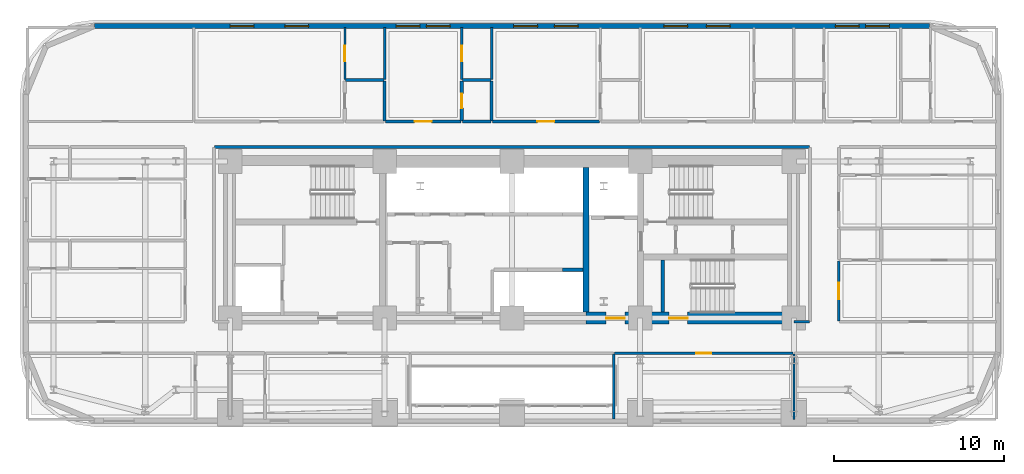
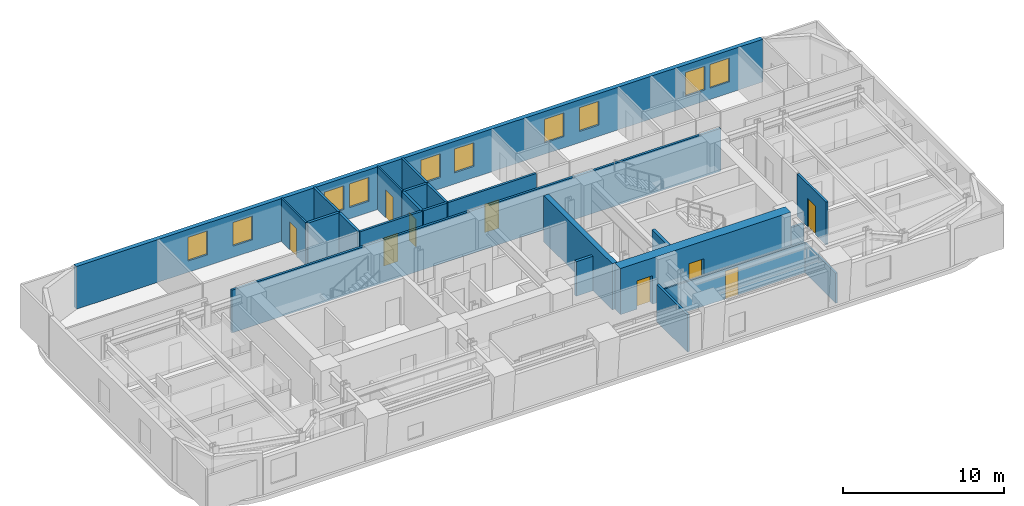
# One storey, part 9 of 15: 23 walls, 10 windows, 9 doors, 19 openings.
"""IFC4 building model written with IfcOpenShell, lengths in metres."""

import ifcopenshell
import ifcopenshell.guid

model = None  # the IFC model being written
_history = None  # IfcOwnerHistory: only IFC2X3 demands one
_inside = {}  # id of a spatial element -> (the spatial element, [elements in it])
_under = {}  # id of a project, library or spatial element -> (it, [spatial elements below it])
_declared = {}  # id of a project -> (the project, [libraries it declares])
_typed = {}  # id of a type object -> (the type object, [elements of that type])
_made_of = {}  # id of a material, layer set ... -> (it, [elements and type objects made of it])


def new_model(schema):
    """Start an empty IFC model of exactly this schema.

    Asked for "IFC4X3", IfcOpenShell would pick the latest addendum, in which some entities
    have other attributes; the version numbers below select the first issue.
    IFC2X3 requires an IfcOwnerHistory on every rooted entity: one is made here for all.
    """
    global model, _history
    if schema == "IFC4X3":
        model = ifcopenshell.file(schema_version=(4, 3, 0, 0))
    else:
        model = ifcopenshell.file(schema=schema)
    _inside.clear()
    _under.clear()
    _declared.clear()
    _typed.clear()
    _made_of.clear()
    _history = None
    if model.schema == "IFC2X3":
        org = make("IfcOrganization", Name="unknown")
        user = make(
            "IfcPersonAndOrganization",
            ThePerson=make("IfcPerson", FamilyName="unknown"),
            TheOrganization=org,
        )
        app = make(
            "IfcApplication",
            ApplicationDeveloper=org,
            Version="unknown",
            ApplicationFullName="unknown",
            ApplicationIdentifier="unknown",
        )
        _history = make(
            "IfcOwnerHistory",
            OwningUser=user,
            OwningApplication=app,
            ChangeAction="ADDED",
            CreationDate=0,
        )
    return model


def make(cls, **values):
    """One entity of the class cls with the attributes given. An attribute that is None is left unset."""
    return model.create_entity(
        cls, **{name: value for name, value in values.items() if value is not None}
    )


def rooted(cls, **values):
    """An entity with a GlobalId (a new one), such as an element, a storey or a relation."""
    return make(cls, GlobalId=ifcopenshell.guid.new(), OwnerHistory=_history, **values)


def si_unit(unit_type, name, prefix=None):
    """IfcSIUnit, for example si_unit("LENGTHUNIT", "METRE", prefix="MILLI")."""
    return make("IfcSIUnit", UnitType=unit_type, Prefix=prefix, Name=name)


def assignment(units):
    """IfcUnitAssignment: the units of a project."""
    return None if units is None else make("IfcUnitAssignment", Units=units)


def point(xyz):
    """IfcCartesianPoint."""
    return None if xyz is None else make("IfcCartesianPoint", Coordinates=xyz)


def direction(xyz):
    """IfcDirection."""
    return None if xyz is None else make("IfcDirection", DirectionRatios=xyz)


def frame(location, z_axis=None, x_axis=None):
    """IfcAxis2Placement3D, a coordinate frame: its origin and axes. An axis left out is left unset."""
    return make(
        "IfcAxis2Placement3D",
        Location=point(location),
        Axis=direction(z_axis),
        RefDirection=direction(x_axis),
    )


def frame_2d(location, x_axis=None):
    """IfcAxis2Placement2D, a coordinate frame in the plane: its origin and x axis."""
    return make(
        "IfcAxis2Placement2D", Location=point(location), RefDirection=direction(x_axis)
    )


def origin():
    """The frame at (0, 0, 0) with its axes left unset."""
    return frame((0.0, 0.0, 0.0))


def place(relative_to, where):
    """IfcLocalPlacement: puts the frame where relative to a parent placement (None: the world)."""
    return make(
        "IfcLocalPlacement", PlacementRelTo=relative_to, RelativePlacement=where
    )


def context(
    kind, dimensions, precision=None, world=None, true_north=None, identifier=None
):
    """IfcGeometricRepresentationContext, for example the 3D "Model" context."""
    return make(
        "IfcGeometricRepresentationContext",
        ContextIdentifier=identifier,
        ContextType=kind,
        CoordinateSpaceDimension=dimensions,
        Precision=precision,
        WorldCoordinateSystem=world,
        TrueNorth=true_north,
    )


def subcontext(parent, identifier, kind, view, scale=None):
    """IfcGeometricRepresentationSubContext, for example "Body" below "Model"."""
    return make(
        "IfcGeometricRepresentationSubContext",
        ContextIdentifier=identifier,
        ContextType=kind,
        ParentContext=parent,
        TargetScale=scale,
        TargetView=view,
    )


def project(units=None, contexts=None):
    """IfcProject with its units and contexts."""
    return rooted(
        "IfcProject",
        Name="project",
        RepresentationContexts=contexts,
        UnitsInContext=assignment(units),
    )


def spatial(cls, under=None, at=None, **own):
    """A site, building, storey or space (cls), placed at a placement, below another one or the project."""
    s = rooted(cls, ObjectPlacement=at, **own)
    if under is not None:
        _under.setdefault(under.id(), (under, []))[1].append(s)
    return s


def profile(cls, at=None, kind="AREA", **sizes):
    """A parametric profile (cls). Its sizes go by their IFC names, for example OverallWidth=200.0."""
    return make(cls, ProfileType=kind, Position=at, **sizes)


def rectangle(**sizes):
    """IfcRectangleProfileDef."""
    return profile("IfcRectangleProfileDef", **sizes)


def extrude(swept, where, along, depth):
    """IfcExtrudedAreaSolid: the profile swept, set in the frame where, extruded along a direction by depth."""
    return make(
        "IfcExtrudedAreaSolid",
        SweptArea=swept,
        Position=where,
        ExtrudedDirection=direction(along),
        Depth=depth,
    )


def shape(context_of_items, identifier, shape_type, items):
    """IfcShapeRepresentation: the items that make up one representation, for example the "Body"."""
    return make(
        "IfcShapeRepresentation",
        ContextOfItems=context_of_items,
        RepresentationIdentifier=identifier,
        RepresentationType=shape_type,
        Items=items,
    )


def material(Name=None, Category=None):
    """IfcMaterial."""
    return make("IfcMaterial", Name=Name, Category=Category)


def layer(
    of_material, thickness, ventilated=None, Name=None, Category=None, Priority=None
):
    """IfcMaterialLayer: one layer of a wall or slab, of a material (None: an air gap)."""
    return make(
        "IfcMaterialLayer",
        Material=of_material,
        LayerThickness=thickness,
        IsVentilated=ventilated,
        Name=Name,
        Category=Category,
        Priority=Priority,
    )


def layer_set(layers, Name=None):
    """IfcMaterialLayerSet."""
    return make("IfcMaterialLayerSet", MaterialLayers=layers, LayerSetName=Name)


def made_of(thing, what):
    """Note that an element or type object is made of a material, layer set ...; save() writes the relation."""
    if what is not None:
        _made_of.setdefault(what.id(), (what, []))[1].append(thing)
    return thing


def type_object(cls, material=None, **own):
    """A type object (cls), such as IfcWallType, which elements share."""
    return made_of(rooted(cls, **own), material)


def element(
    cls,
    number,
    at=None,
    inside=None,
    cuts=None,
    type_object=None,
    material=None,
    context=None,
    identifier="Body",
    shape_type=None,
    held_by="IfcProductDefinitionShape",
    body=None,
    shapes=None,
    **own,
):
    """One element of the class cls, such as IfcWall. Its Tag is "e" and its number.

    at: its placement. inside: the storey or other place that contains it. cuts: it is an
    opening in that element (IfcRelVoidsElement). A single representation is given by context,
    identifier, shape_type and body (its items); several are given by shapes. held_by: the class
    of the entity that holds the representations. save() writes the other relations.
    """
    e = rooted(cls, Tag="e%d" % number, ObjectPlacement=at, **own)
    if body is not None:
        shapes = [shape(context, identifier, shape_type, body)]
    if shapes is not None:
        e.Representation = make(held_by, Representations=shapes)
    if inside is not None:
        _inside.setdefault(inside.id(), (inside, []))[1].append(e)
    if cuts is not None:
        rooted(
            "IfcRelVoidsElement", RelatingBuildingElement=cuts, RelatedOpeningElement=e
        )
    if type_object is not None:
        _typed.setdefault(type_object.id(), (type_object, []))[1].append(e)
    return made_of(e, material)


def fill(opening, filler):
    """IfcRelFillsElement: the door or window that sits in an opening."""
    return rooted(
        "IfcRelFillsElement",
        RelatingOpeningElement=opening,
        RelatedBuildingElement=filler,
    )


def aggregate(whole, parts):
    """IfcRelAggregates: a whole, such as a stair, and the parts it consists of."""
    return rooted("IfcRelAggregates", RelatingObject=whole, RelatedObjects=parts)


def save(model, path):
    """Write the relations noted so far, then the file.

    IfcRelAggregates (storeys below a building ...), IfcRelContainedInSpatialStructure (elements
    in a storey), IfcRelDefinesByType, IfcRelAssociatesMaterial and IfcRelDeclares: one each for
    every whole, place, type object, material and project.
    """
    for whole, parts in _under.values():
        aggregate(whole, parts)
    for where, things in _inside.values():
        rooted(
            "IfcRelContainedInSpatialStructure",
            RelatedElements=things,
            RelatingStructure=where,
        )
    for kind, things in _typed.values():
        rooted("IfcRelDefinesByType", RelatedObjects=things, RelatingType=kind)
    for what, things in _made_of.values():
        rooted("IfcRelAssociatesMaterial", RelatedObjects=things, RelatingMaterial=what)
    for by, libraries in _declared.values():
        rooted("IfcRelDeclares", RelatingContext=by, RelatedDefinitions=libraries)
    model.write(path)


model = new_model("IFC4")

# Units and contexts
model_context = context("Model", 3, precision=1e-05, world=origin(), true_north=direction((0.0, 1.0)))
body_context = subcontext(model_context, "Body", "Model", "MODEL_VIEW")
ifc_project = project(units=[si_unit("LENGTHUNIT", "METRE"), si_unit("AREAUNIT", "SQUARE_METRE"), si_unit("VOLUMEUNIT", "CUBIC_METRE"), si_unit("PLANEANGLEUNIT", "RADIAN"), si_unit("MASSUNIT", "GRAM", prefix="KILO")], contexts=[model_context])

# Site, building, storey
site_placement = place(None, origin())
site = spatial("IfcSite", under=ifc_project, at=site_placement, CompositionType="ELEMENT")
building_placement = place(site_placement, origin())
building = spatial("IfcBuilding", under=site, at=building_placement, Name="Zarnavel Station Tower", CompositionType="ELEMENT")
storey_placement = place(building_placement, frame((0.0, 0.0, 43.0)))
storey = spatial("IfcBuildingStorey", under=building, at=storey_placement, Name="L11", CompositionType="ELEMENT", Elevation=43.0)

# Wall
ifc_material_1 = material(Name="Concrete C50/60", Category="concrete")
ifc_layer_1 = layer(ifc_material_1, 0.35009765625)
ifc_layer_set_1 = layer_set([ifc_layer_1], Name="CW_350")
wall_type_1 = type_object("IfcWallType", Name="CW_350", PredefinedType="SHEAR", material=ifc_layer_set_1)
wall_1_placement = place(storey_placement, frame((33.14990234375, 28.169921875, 0.0), z_axis=(0.0, 0.0, 1.0), x_axis=(0.0, 1.0, 0.0)))
element("IfcWall", 1, at=wall_1_placement, inside=storey, type_object=wall_type_1, Name="L11 Rear Core Shear Wall DIV-E", PredefinedType="SHEAR", context=body_context, shape_type="SweptSolid", body=[
    extrude(rectangle(XDim=8.530029296875, YDim=0.35009765625, at=frame_2d((4.26513671875, 0.0))), origin(), (0.0, 0.0, 1.0), 3.5),
])

# Wall, openings, doors
ifc_material_2 = material(Name="Concrete C60/75", Category="concrete")
ifc_layer_2 = layer(ifc_material_2, 0.699951171875)
ifc_layer_set_2 = layer_set([ifc_layer_2], Name="CW_700")
wall_type_2 = type_object("IfcWallType", Name="CW_700", PredefinedType="SHEAR", material=ifc_layer_set_2)
wall_2_placement = place(storey_placement, frame((45.3798828125, 27.820068359375, 0.0), z_axis=(0.0, 0.0, 1.0), x_axis=(-1.0, 0.0, 0.0)))
wall_2 = element("IfcWall", 2, at=wall_2_placement, inside=storey, type_object=wall_type_2, Name="L11 Rear Core Shear Wall S-E", PredefinedType="SHEAR", context=body_context, shape_type="SweptSolid", body=[
    extrude(rectangle(XDim=12.22998046875, YDim=0.699951171875, at=frame_2d((6.114990234375, 0.0))), origin(), (0.0, 0.0, 1.0), 3.5),
])
opening_1_placement = place(wall_2_placement, frame((9.929931640625, 0.0, 0.0)))
opening_1 = element("IfcOpeningElement", 3, at=opening_1_placement, cuts=wall_2, Name="Opening FD01", PredefinedType="OPENING", context=body_context, shape_type="SweptSolid", body=[
    extrude(rectangle(XDim=1.10009765625, YDim=2.14990234375, at=frame_2d((0.550048828125, 1.074951171875))), frame((0.0, 0.35986328125, 0.0), z_axis=(0.0, -1.0, 0.0), x_axis=(1.0, 0.0, 0.0)), (0.0, 0.0, 1.0), 0.719970703125),
])
opening_2_placement = place(wall_2_placement, frame((6.22998046875, 0.0, 0.0)))
opening_2 = element("IfcOpeningElement", 4, at=opening_2_placement, cuts=wall_2, Name="Opening FD01", PredefinedType="OPENING", context=body_context, shape_type="SweptSolid", body=[
    extrude(rectangle(XDim=1.10009765625, YDim=2.14990234375, at=frame_2d((0.550048828125, 1.074951171875))), frame((0.0, 0.35986328125, 0.0), z_axis=(0.0, -1.0, 0.0), x_axis=(1.0, 0.0, 0.0)), (0.0, 0.0, 1.0), 0.719970703125),
])
ifc_material_3 = material(Name="Painted Galvanised Steel and Hardwood Leaf", Category="steel")
door_type_1 = type_object("IfcDoorType", Name="ID_STAIR_1100", OperationType="NOTDEFINED", PredefinedType="DOOR", material=ifc_material_3)
door_1_placement = place(opening_1_placement, origin())
door_1 = element("IfcDoor", 5, at=door_1_placement, inside=storey, type_object=door_type_1, Name="L11 East Firefighting Lobby Door", OperationType="SINGLE_SWING_LEFT", OverallHeight=2.14990234375, OverallWidth=1.10009765625, PredefinedType="DOOR", context=body_context, shape_type="SweptSolid", body=[
    extrude(rectangle(XDim=1.10009765625, YDim=2.14990234375, at=frame_2d((0.550048828125, 1.074951171875))), frame((0.0, 0.02490234375, 0.0), z_axis=(0.0, -1.0, 0.0), x_axis=(1.0, 0.0, 0.0)), (0.0, 0.0, 1.0), 0.050048828125),
])
fill(opening_1, door_1)
door_2_placement = place(opening_2_placement, origin())
door_2 = element("IfcDoor", 6, at=door_2_placement, inside=storey, type_object=door_type_1, Name="L11 Stair ST3 Corridor Fire Door", OperationType="SINGLE_SWING_RIGHT", OverallHeight=2.14990234375, OverallWidth=1.10009765625, PredefinedType="DOOR", context=body_context, shape_type="SweptSolid", body=[
    extrude(rectangle(XDim=1.10009765625, YDim=2.14990234375, at=frame_2d((0.550048828125, 1.074951171875))), frame((0.0, 0.02490234375, 0.0), z_axis=(0.0, -1.0, 0.0), x_axis=(1.0, 0.0, 0.0)), (0.0, 0.0, 1.0), 0.050048828125),
])
fill(opening_2, door_2)

# Wall, openings, windows
ifc_material_4 = material(Name="Precast concrete C45/55 (Dark Basalt Finish)", Category="masonry")
ifc_layer_3 = layer(ifc_material_4, 0.300048828125)
ifc_layer_set_3 = layer_set([ifc_layer_3], Name="EW_BASALT_300")
wall_type_3 = type_object("IfcWallType", Name="EW_BASALT_300", PredefinedType="SOLIDWALL", material=ifc_layer_set_3)
wall_3_placement = place(storey_placement, frame((4.199951171875, 45.02001953125, 0.0), z_axis=(0.0, 0.0, 1.0), x_axis=(1.0, 0.0, 0.0)))
wall_3 = element("IfcWall", 7, at=wall_3_placement, inside=storey, type_object=wall_type_3, Name="L11 Exterior Basalt Masonry Frame Wall 06", PredefinedType="SOLIDWALL", context=body_context, shape_type="SweptSolid", body=[
    extrude(rectangle(XDim=49.199951171875, YDim=0.300048828125, at=frame_2d((24.60009765625, 0.0))), origin(), (0.0, 0.0, 1.0), 3.239990234375),
])
opening_3_placement = place(wall_3_placement, frame((7.989990234375, 0.0, 0.85009765625)))
opening_3 = element("IfcOpeningElement", 8, at=opening_3_placement, cuts=wall_3, Name="Opening WN01", PredefinedType="OPENING", context=body_context, shape_type="SweptSolid", body=[
    extrude(rectangle(XDim=1.39990234375, YDim=1.800048828125, at=frame_2d((0.699951171875, 0.89990234375))), frame((0.0, 0.159912109375, 0.0), z_axis=(0.0, -1.0, 0.0), x_axis=(1.0, 0.0, 0.0)), (0.0, 0.0, 1.0), 0.320068359375),
])
opening_4_placement = place(wall_3_placement, frame((11.219970703125, 0.0, 0.85009765625)))
opening_4 = element("IfcOpeningElement", 9, at=opening_4_placement, cuts=wall_3, Name="Opening WN01", PredefinedType="OPENING", context=body_context, shape_type="SweptSolid", body=[
    extrude(rectangle(XDim=1.39990234375, YDim=1.800048828125, at=frame_2d((0.699951171875, 0.89990234375))), frame((0.0, 0.159912109375, 0.0), z_axis=(0.0, -1.0, 0.0), x_axis=(1.0, 0.0, 0.0)), (0.0, 0.0, 1.0), 0.320068359375),
])
opening_5_placement = place(wall_3_placement, frame((17.77978515625, 0.0, 0.85009765625)))
opening_5 = element("IfcOpeningElement", 10, at=opening_5_placement, cuts=wall_3, Name="Opening WN01", PredefinedType="OPENING", context=body_context, shape_type="SweptSolid", body=[
    extrude(rectangle(XDim=1.39990234375, YDim=1.800048828125, at=frame_2d((0.699951171875, 0.89990234375))), frame((0.0, 0.159912109375, 0.0), z_axis=(0.0, -1.0, 0.0), x_axis=(1.0, 0.0, 0.0)), (0.0, 0.0, 1.0), 0.320068359375),
])
opening_6_placement = place(wall_3_placement, frame((19.559326171875, 0.0, 0.85009765625)))
opening_6 = element("IfcOpeningElement", 11, at=opening_6_placement, cuts=wall_3, Name="Opening WN01", PredefinedType="OPENING", context=body_context, shape_type="SweptSolid", body=[
    extrude(rectangle(XDim=1.39990234375, YDim=1.800048828125, at=frame_2d((0.699951171875, 0.89990234375))), frame((0.0, 0.159912109375, 0.0), z_axis=(0.0, -1.0, 0.0), x_axis=(1.0, 0.0, 0.0)), (0.0, 0.0, 1.0), 0.320068359375),
])
opening_7_placement = place(wall_3_placement, frame((24.70263671875, 0.0, 0.85009765625)))
opening_7 = element("IfcOpeningElement", 12, at=opening_7_placement, cuts=wall_3, Name="Opening WN01", PredefinedType="OPENING", context=body_context, shape_type="SweptSolid", body=[
    extrude(rectangle(XDim=1.39990234375, YDim=1.800048828125, at=frame_2d((0.699951171875, 0.89990234375))), frame((0.0, 0.159912109375, 0.0), z_axis=(0.0, -1.0, 0.0), x_axis=(1.0, 0.0, 0.0)), (0.0, 0.0, 1.0), 0.320068359375),
])
opening_8_placement = place(wall_3_placement, frame((27.101318359375, 0.0, 0.85009765625)))
opening_8 = element("IfcOpeningElement", 13, at=opening_8_placement, cuts=wall_3, Name="Opening WN01", PredefinedType="OPENING", context=body_context, shape_type="SweptSolid", body=[
    extrude(rectangle(XDim=1.39990234375, YDim=1.800048828125, at=frame_2d((0.699951171875, 0.89990234375))), frame((0.0, 0.159912109375, 0.0), z_axis=(0.0, -1.0, 0.0), x_axis=(1.0, 0.0, 0.0)), (0.0, 0.0, 1.0), 0.320068359375),
])
opening_9_placement = place(wall_3_placement, frame((33.550048828125, 0.0, 0.85009765625)))
opening_9 = element("IfcOpeningElement", 14, at=opening_9_placement, cuts=wall_3, Name="Opening WN01", PredefinedType="OPENING", context=body_context, shape_type="SweptSolid", body=[
    extrude(rectangle(XDim=1.39990234375, YDim=1.800048828125, at=frame_2d((0.699951171875, 0.89990234375))), frame((0.0, 0.159912109375, 0.0), z_axis=(0.0, -1.0, 0.0), x_axis=(1.0, 0.0, 0.0)), (0.0, 0.0, 1.0), 0.320068359375),
])
opening_10_placement = place(wall_3_placement, frame((36.050048828125, 0.0, 0.85009765625)))
opening_10 = element("IfcOpeningElement", 15, at=opening_10_placement, cuts=wall_3, Name="Opening WN01", PredefinedType="OPENING", context=body_context, shape_type="SweptSolid", body=[
    extrude(rectangle(XDim=1.39990234375, YDim=1.800048828125, at=frame_2d((0.699951171875, 0.89990234375))), frame((0.0, 0.159912109375, 0.0), z_axis=(0.0, -1.0, 0.0), x_axis=(1.0, 0.0, 0.0)), (0.0, 0.0, 1.0), 0.320068359375),
])
opening_11_placement = place(wall_3_placement, frame((43.644775390625, 0.0, 0.85009765625)))
opening_11 = element("IfcOpeningElement", 16, at=opening_11_placement, cuts=wall_3, Name="Opening WN01", PredefinedType="OPENING", context=body_context, shape_type="SweptSolid", body=[
    extrude(rectangle(XDim=1.39990234375, YDim=1.800048828125, at=frame_2d((0.699951171875, 0.89990234375))), frame((0.0, 0.159912109375, 0.0), z_axis=(0.0, -1.0, 0.0), x_axis=(1.0, 0.0, 0.0)), (0.0, 0.0, 1.0), 0.320068359375),
])
opening_12_placement = place(wall_3_placement, frame((45.42431640625, 0.0, 0.85009765625)))
opening_12 = element("IfcOpeningElement", 17, at=opening_12_placement, cuts=wall_3, Name="Opening WN01", PredefinedType="OPENING", context=body_context, shape_type="SweptSolid", body=[
    extrude(rectangle(XDim=1.39990234375, YDim=1.800048828125, at=frame_2d((0.699951171875, 0.89990234375))), frame((0.0, 0.159912109375, 0.0), z_axis=(0.0, -1.0, 0.0), x_axis=(1.0, 0.0, 0.0)), (0.0, 0.0, 1.0), 0.320068359375),
])
ifc_material_5 = material(Name="Thermally Broken Black Aluminium and Low-E Dark Glass", Category="aluminium")
window_type = type_object("IfcWindowType", Name="WN_1400x1800", PartitioningType="DOUBLE_PANEL_VERTICAL", PredefinedType="WINDOW", material=ifc_material_5)
window_1_placement = place(opening_3_placement, origin())
window_1 = element("IfcWindow", 18, at=window_1_placement, inside=storey, type_object=window_type, Name="L11 Recessed Facade Window 01", OverallHeight=1.800048828125, OverallWidth=1.39990234375, PartitioningType="SINGLE_PANEL", PredefinedType="WINDOW", context=body_context, shape_type="SweptSolid", body=[
    extrude(rectangle(XDim=1.39990234375, YDim=1.800048828125, at=frame_2d((0.699951171875, 0.89990234375))), frame((0.0, 0.030029296875, 0.0), z_axis=(0.0, -1.0, 0.0), x_axis=(1.0, 0.0, 0.0)), (0.0, 0.0, 1.0), 0.06005859375),
])
fill(opening_3, window_1)
window_2_placement = place(opening_4_placement, origin())
window_2 = element("IfcWindow", 19, at=window_2_placement, inside=storey, type_object=window_type, Name="L11 Recessed Facade Window 02", OverallHeight=1.800048828125, OverallWidth=1.39990234375, PartitioningType="SINGLE_PANEL", PredefinedType="WINDOW", context=body_context, shape_type="SweptSolid", body=[
    extrude(rectangle(XDim=1.39990234375, YDim=1.800048828125, at=frame_2d((0.699951171875, 0.89990234375))), frame((0.0, 0.030029296875, 0.0), z_axis=(0.0, -1.0, 0.0), x_axis=(1.0, 0.0, 0.0)), (0.0, 0.0, 1.0), 0.06005859375),
])
fill(opening_4, window_2)
window_3_placement = place(opening_5_placement, origin())
window_3 = element("IfcWindow", 20, at=window_3_placement, inside=storey, type_object=window_type, Name="L11 Recessed Facade Window 03", OverallHeight=1.800048828125, OverallWidth=1.39990234375, PartitioningType="SINGLE_PANEL", PredefinedType="WINDOW", context=body_context, shape_type="SweptSolid", body=[
    extrude(rectangle(XDim=1.39990234375, YDim=1.800048828125, at=frame_2d((0.699951171875, 0.89990234375))), frame((0.0, 0.030029296875, 0.0), z_axis=(0.0, -1.0, 0.0), x_axis=(1.0, 0.0, 0.0)), (0.0, 0.0, 1.0), 0.06005859375),
])
fill(opening_5, window_3)
window_4_placement = place(opening_6_placement, origin())
window_4 = element("IfcWindow", 21, at=window_4_placement, inside=storey, type_object=window_type, Name="L11 Recessed Facade Window 04", OverallHeight=1.800048828125, OverallWidth=1.39990234375, PartitioningType="SINGLE_PANEL", PredefinedType="WINDOW", context=body_context, shape_type="SweptSolid", body=[
    extrude(rectangle(XDim=1.39990234375, YDim=1.800048828125, at=frame_2d((0.699951171875, 0.89990234375))), frame((0.0, 0.030029296875, 0.0), z_axis=(0.0, -1.0, 0.0), x_axis=(1.0, 0.0, 0.0)), (0.0, 0.0, 1.0), 0.06005859375),
])
fill(opening_6, window_4)
window_5_placement = place(opening_7_placement, origin())
window_5 = element("IfcWindow", 22, at=window_5_placement, inside=storey, type_object=window_type, Name="L11 Recessed Facade Window 05", OverallHeight=1.800048828125, OverallWidth=1.39990234375, PartitioningType="SINGLE_PANEL", PredefinedType="WINDOW", context=body_context, shape_type="SweptSolid", body=[
    extrude(rectangle(XDim=1.39990234375, YDim=1.800048828125, at=frame_2d((0.699951171875, 0.89990234375))), frame((0.0, 0.030029296875, 0.0), z_axis=(0.0, -1.0, 0.0), x_axis=(1.0, 0.0, 0.0)), (0.0, 0.0, 1.0), 0.06005859375),
])
fill(opening_7, window_5)
window_6_placement = place(opening_8_placement, origin())
window_6 = element("IfcWindow", 23, at=window_6_placement, inside=storey, type_object=window_type, Name="L11 Recessed Facade Window 06", OverallHeight=1.800048828125, OverallWidth=1.39990234375, PartitioningType="SINGLE_PANEL", PredefinedType="WINDOW", context=body_context, shape_type="SweptSolid", body=[
    extrude(rectangle(XDim=1.39990234375, YDim=1.800048828125, at=frame_2d((0.699951171875, 0.89990234375))), frame((0.0, 0.030029296875, 0.0), z_axis=(0.0, -1.0, 0.0), x_axis=(1.0, 0.0, 0.0)), (0.0, 0.0, 1.0), 0.06005859375),
])
fill(opening_8, window_6)
window_7_placement = place(opening_9_placement, origin())
window_7 = element("IfcWindow", 24, at=window_7_placement, inside=storey, type_object=window_type, Name="L11 Recessed Facade Window 07", OverallHeight=1.800048828125, OverallWidth=1.39990234375, PartitioningType="SINGLE_PANEL", PredefinedType="WINDOW", context=body_context, shape_type="SweptSolid", body=[
    extrude(rectangle(XDim=1.39990234375, YDim=1.800048828125, at=frame_2d((0.699951171875, 0.89990234375))), frame((0.0, 0.030029296875, 0.0), z_axis=(0.0, -1.0, 0.0), x_axis=(1.0, 0.0, 0.0)), (0.0, 0.0, 1.0), 0.06005859375),
])
fill(opening_9, window_7)
window_8_placement = place(opening_10_placement, origin())
window_8 = element("IfcWindow", 25, at=window_8_placement, inside=storey, type_object=window_type, Name="L11 Recessed Facade Window 08", OverallHeight=1.800048828125, OverallWidth=1.39990234375, PartitioningType="SINGLE_PANEL", PredefinedType="WINDOW", context=body_context, shape_type="SweptSolid", body=[
    extrude(rectangle(XDim=1.39990234375, YDim=1.800048828125, at=frame_2d((0.699951171875, 0.89990234375))), frame((0.0, 0.030029296875, 0.0), z_axis=(0.0, -1.0, 0.0), x_axis=(1.0, 0.0, 0.0)), (0.0, 0.0, 1.0), 0.06005859375),
])
fill(opening_10, window_8)
window_9_placement = place(opening_11_placement, origin())
window_9 = element("IfcWindow", 26, at=window_9_placement, inside=storey, type_object=window_type, Name="L11 Recessed Facade Window 09", OverallHeight=1.800048828125, OverallWidth=1.39990234375, PartitioningType="SINGLE_PANEL", PredefinedType="WINDOW", context=body_context, shape_type="SweptSolid", body=[
    extrude(rectangle(XDim=1.39990234375, YDim=1.800048828125, at=frame_2d((0.699951171875, 0.89990234375))), frame((0.0, 0.030029296875, 0.0), z_axis=(0.0, -1.0, 0.0), x_axis=(1.0, 0.0, 0.0)), (0.0, 0.0, 1.0), 0.06005859375),
])
fill(opening_11, window_9)
window_10_placement = place(opening_12_placement, origin())
window_10 = element("IfcWindow", 27, at=window_10_placement, inside=storey, type_object=window_type, Name="L11 Recessed Facade Window 10", OverallHeight=1.800048828125, OverallWidth=1.39990234375, PartitioningType="SINGLE_PANEL", PredefinedType="WINDOW", context=body_context, shape_type="SweptSolid", body=[
    extrude(rectangle(XDim=1.39990234375, YDim=1.800048828125, at=frame_2d((0.699951171875, 0.89990234375))), frame((0.0, 0.030029296875, 0.0), z_axis=(0.0, -1.0, 0.0), x_axis=(1.0, 0.0, 0.0)), (0.0, 0.0, 1.0), 0.06005859375),
])
fill(opening_12, window_10)

# Wall, opening, door
ifc_material_6 = material(Name="Gypsum Twin-Stud Acoustic Fire Partition", Category="concrete")
ifc_layer_4 = layer(ifc_material_6, 0.159912109375)
ifc_layer_set_4 = layer_set([ifc_layer_4], Name="PT_DEMISE_160")
wall_type_4 = type_object("IfcWallType", Name="PT_DEMISE_160", PredefinedType="PARTITIONING", material=ifc_layer_set_4)
wall_4_placement = place(storey_placement, frame((48.050048828125, 27.639892578125, 0.0), z_axis=(0.0, 0.0, 1.0), x_axis=(0.0, 1.0, 0.0)))
wall_4 = element("IfcWall", 28, at=wall_4_placement, inside=storey, type_object=wall_type_4, Name="L11 Partition COR-E-FNE1R", PredefinedType="PARTITIONING", context=body_context, shape_type="SweptSolid", body=[
    extrude(rectangle(XDim=3.55615234375, YDim=0.159912109375, at=frame_2d((1.778076171875, 0.0))), origin(), (0.0, 0.0, 1.0), 3.239990234375),
])
opening_13_placement = place(wall_4_placement, frame((1.278076171875, 0.0, 0.0)))
opening_13 = element("IfcOpeningElement", 29, at=opening_13_placement, cuts=wall_4, Name="Opening FD02", PredefinedType="OPENING", context=body_context, shape_type="SweptSolid", body=[
    extrude(rectangle(XDim=1.0, YDim=2.14990234375, at=frame_2d((0.5, 1.074951171875))), frame((0.0, 0.08984375, 0.0), z_axis=(0.0, -1.0, 0.0), x_axis=(1.0, 0.0, 0.0)), (0.0, 0.0, 1.0), 0.179931640625),
])
ifc_material_7 = material(Name="Painted Galvanised Steel and Hardwood Leaf", Category="steel")
door_type_2 = type_object("IfcDoorType", Name="ID_ENTRY_1000", OperationType="NOTDEFINED", PredefinedType="DOOR", material=ifc_material_7)
door_3_placement = place(opening_13_placement, origin())
door_3 = element("IfcDoor", 30, at=door_3_placement, inside=storey, type_object=door_type_2, Name="L11 Door COR-E-FNE1R", OperationType="SINGLE_SWING_RIGHT", OverallHeight=2.14990234375, OverallWidth=1.0, PredefinedType="DOOR", context=body_context, shape_type="SweptSolid", body=[
    extrude(rectangle(XDim=1.0, YDim=2.14990234375, at=frame_2d((0.5, 1.074951171875))), frame((0.0, 0.02490234375, 0.0), z_axis=(0.0, -1.0, 0.0), x_axis=(1.0, 0.0, 0.0)), (0.0, 0.0, 1.0), 0.050048828125),
])
fill(opening_13, door_3)

wall_5_placement = place(storey_placement, frame((21.340087890625, 39.39990234375, 0.0), z_axis=(0.0, 0.0, 1.0), x_axis=(1.0, 0.0, 0.0)))
wall_5 = element("IfcWall", 31, at=wall_5_placement, inside=storey, type_object=wall_type_4, Name="L11 Partition COR-N-HN2R", PredefinedType="PARTITIONING", context=body_context, shape_type="SweptSolid", body=[
    extrude(rectangle(XDim=4.458984375, YDim=0.159912109375, at=frame_2d((2.2294921875, 0.0))), origin(), (0.0, 0.0, 1.0), 3.239990234375),
])
opening_14_placement = place(wall_5_placement, frame((1.7294921875, 0.0, 0.0)))
opening_14 = element("IfcOpeningElement", 32, at=opening_14_placement, cuts=wall_5, Name="Opening FD02", PredefinedType="OPENING", context=body_context, shape_type="SweptSolid", body=[
    extrude(rectangle(XDim=1.0, YDim=2.14990234375, at=frame_2d((0.5, 1.074951171875))), frame((0.0, 0.08984375, 0.0), z_axis=(0.0, -1.0, 0.0), x_axis=(1.0, 0.0, 0.0)), (0.0, 0.0, 1.0), 0.179931640625),
])
door_4_placement = place(opening_14_placement, origin())
door_4 = element("IfcDoor", 33, at=door_4_placement, inside=storey, type_object=door_type_2, Name="L11 Door COR-N-HN2R", OperationType="SINGLE_SWING_RIGHT", OverallHeight=2.14990234375, OverallWidth=1.0, PredefinedType="DOOR", context=body_context, shape_type="SweptSolid", body=[
    extrude(rectangle(XDim=1.0, YDim=2.14990234375, at=frame_2d((0.5, 1.074951171875))), frame((0.0, 0.02490234375, 0.0), z_axis=(0.0, -1.0, 0.0), x_axis=(1.0, 0.0, 0.0)), (0.0, 0.0, 1.0), 0.050048828125),
])
fill(opening_14, door_4)

wall_6_placement = place(storey_placement, frame((27.64404296875, 39.39990234375, 0.0), z_axis=(0.0, 0.0, 1.0), x_axis=(1.0, 0.0, 0.0)))
wall_6 = element("IfcWall", 34, at=wall_6_placement, inside=storey, type_object=wall_type_4, Name="L11 Partition COR-N-HN3R", PredefinedType="PARTITIONING", context=body_context, shape_type="SweptSolid", body=[
    extrude(rectangle(XDim=6.31591796875, YDim=0.159912109375, at=frame_2d((3.157958984375, 0.0))), origin(), (0.0, 0.0, 1.0), 3.239990234375),
])
opening_15_placement = place(wall_6_placement, frame((2.657958984375, 0.0, 0.0)))
opening_15 = element("IfcOpeningElement", 35, at=opening_15_placement, cuts=wall_6, Name="Opening FD02", PredefinedType="OPENING", context=body_context, shape_type="SweptSolid", body=[
    extrude(rectangle(XDim=1.0, YDim=2.14990234375, at=frame_2d((0.5, 1.074951171875))), frame((0.0, 0.08984375, 0.0), z_axis=(0.0, -1.0, 0.0), x_axis=(1.0, 0.0, 0.0)), (0.0, 0.0, 1.0), 0.179931640625),
])
door_5_placement = place(opening_15_placement, origin())
door_5 = element("IfcDoor", 36, at=door_5_placement, inside=storey, type_object=door_type_2, Name="L11 Door COR-N-HN3R", OperationType="SINGLE_SWING_LEFT", OverallHeight=2.14990234375, OverallWidth=1.0, PredefinedType="DOOR", context=body_context, shape_type="SweptSolid", body=[
    extrude(rectangle(XDim=1.0, YDim=2.14990234375, at=frame_2d((0.5, 1.074951171875))), frame((0.0, 0.02490234375, 0.0), z_axis=(0.0, -1.0, 0.0), x_axis=(1.0, 0.0, 0.0)), (0.0, 0.0, 1.0), 0.050048828125),
])
fill(opening_15, door_5)

# Walls
for number, where, z_axis, x_axis, name in (
    (37, (21.300048828125, 41.8779296875, 0.0), (0.0, 0.0, 1.0), (0.0, 1.0, 0.0), "L11 Partition HN1S-HN2R"),
    (38, (27.60400390625, 41.8779296875, 0.0), (0.0, 0.0, 1.0), (0.0, 1.0, 0.0), "L11 Partition HN2S-HN3R"),
):
    element("IfcWall", number, at=place(storey_placement, frame(where, z_axis=z_axis, x_axis=x_axis)), inside=storey, type_object=wall_type_4, Name=name, PredefinedType="PARTITIONING", context=body_context, shape_type="SweptSolid", body=[
        extrude(rectangle(XDim=3.06201171875, YDim=0.159912109375, at=frame_2d((1.531005859375, 0.0))), origin(), (0.0, 0.0, 1.0), 3.239990234375),
    ])
wall_7_placement = place(storey_placement, frame((45.409912109375, 27.60009765625, 0.0), z_axis=(0.0, 0.0, 1.0), x_axis=(1.0, 0.0, 0.0)))
element("IfcWall", 39, at=wall_7_placement, inside=storey, type_object=wall_type_4, Name="L11 Enclosure Wall COR-S", PredefinedType="PARTITIONING", context=body_context, shape_type="SweptSolid", body=[
    extrude(rectangle(XDim=0.91015625, YDim=0.159912109375, at=frame_2d((0.455078125, 0.0))), origin(), (0.0, 0.0, 1.0), 2.280029296875),
])
wall_8_placement = place(storey_placement, frame((11.280029296875, 37.89990234375, 0.0), z_axis=(0.0, 0.0, 1.0), x_axis=(1.0, 0.0, 0.0)))
element("IfcWall", 40, at=wall_8_placement, inside=storey, type_object=wall_type_4, Name="L11 Enclosure Wall COR-N", PredefinedType="PARTITIONING", context=body_context, shape_type="SweptSolid", body=[
    extrude(rectangle(XDim=35.0400390625, YDim=0.159912109375, at=frame_2d((17.52001953125, 0.0))), origin(), (0.0, 0.0, 1.0), 3.239990234375),
])
wall_9_placement = place(storey_placement, frame((34.800048828125, 21.889892578125, 0.0), z_axis=(0.0, 0.0, 1.0), x_axis=(0.0, 1.0, 0.0)))
element("IfcWall", 41, at=wall_9_placement, inside=storey, type_object=wall_type_4, Name="L11 Enclosure Wall Z1CNF", PredefinedType="PARTITIONING", context=body_context, shape_type="SweptSolid", body=[
    extrude(rectangle(XDim=3.830078125, YDim=0.159912109375, at=frame_2d((1.9150390625, 0.0))), origin(), (0.0, 0.0, 1.0), 2.820068359375),
])

# Wall, opening, door
ifc_material_8 = material(Name="Gypsum Metal-Stud Interior Partition", Category="concrete")
ifc_layer_5 = layer(ifc_material_8, 0.1201171875)
ifc_layer_set_5 = layer_set([ifc_layer_5], Name="PT_ROOM_120")
wall_type_5 = type_object("IfcWallType", Name="PT_ROOM_120", PredefinedType="PARTITIONING", material=ifc_layer_set_5)
wall_10_placement = place(storey_placement, frame((34.840087890625, 25.75, 0.0), z_axis=(0.0, 0.0, 1.0), x_axis=(1.0, 0.0, 0.0)))
wall_10 = element("IfcWall", 42, at=wall_10_placement, inside=storey, type_object=wall_type_5, Name="L11 Partition COR-S-Z1CNF", PredefinedType="PARTITIONING", context=body_context, shape_type="SweptSolid", body=[
    extrude(rectangle(XDim=10.52001953125, YDim=0.1201171875, at=frame_2d((5.260009765625, 0.0))), origin(), (0.0, 0.0, 1.0), 2.280029296875),
])
opening_16_placement = place(wall_10_placement, frame((4.81005859375, 0.0, 0.0)))
opening_16 = element("IfcOpeningElement", 43, at=opening_16_placement, cuts=wall_10, Name="Opening ID01", PredefinedType="OPENING", context=body_context, shape_type="SweptSolid", body=[
    extrude(rectangle(XDim=0.89990234375, YDim=2.10009765625, at=frame_2d((0.449951171875, 1.050048828125))), frame((0.0, 0.070068359375, 0.0), z_axis=(0.0, -1.0, 0.0), x_axis=(1.0, 0.0, 0.0)), (0.0, 0.0, 1.0), 0.14013671875),
])
ifc_material_9 = material(Name="Painted Galvanised Steel and Hardwood Leaf", Category="steel")
door_type_3 = type_object("IfcDoorType", Name="ID_ROOM_900", OperationType="NOTDEFINED", PredefinedType="DOOR", material=ifc_material_9)
door_6_placement = place(opening_16_placement, origin())
door_6 = element("IfcDoor", 44, at=door_6_placement, inside=storey, type_object=door_type_3, Name="L11 Door COR-S-Z1CNF", OperationType="SINGLE_SWING_RIGHT", OverallHeight=2.10009765625, OverallWidth=0.89990234375, PredefinedType="DOOR", context=body_context, shape_type="SweptSolid", body=[
    extrude(rectangle(XDim=0.89990234375, YDim=2.10009765625, at=frame_2d((0.449951171875, 1.050048828125))), frame((0.0, 0.02490234375, 0.0), z_axis=(0.0, -1.0, 0.0), x_axis=(1.0, 0.0, 0.0)), (0.0, 0.0, 1.0), 0.050048828125),
])
fill(opening_16, door_6)

wall_11_placement = place(storey_placement, frame((18.949951171875, 41.8779296875, 0.0), z_axis=(0.0, 0.0, 1.0), x_axis=(0.0, 1.0, 0.0)))
wall_11 = element("IfcWall", 45, at=wall_11_placement, inside=storey, type_object=wall_type_5, Name="L11 Partition HN1R-HN1S", PredefinedType="PARTITIONING", context=body_context, shape_type="SweptSolid", body=[
    extrude(rectangle(XDim=3.06201171875, YDim=0.1201171875, at=frame_2d((1.531005859375, 0.0))), origin(), (0.0, 0.0, 1.0), 3.239990234375),
])
opening_17_placement = place(wall_11_placement, frame((1.0810546875, 0.0, 0.0)))
opening_17 = element("IfcOpeningElement", 46, at=opening_17_placement, cuts=wall_11, Name="Opening ID01", PredefinedType="OPENING", context=body_context, shape_type="SweptSolid", body=[
    extrude(rectangle(XDim=0.89990234375, YDim=2.10009765625, at=frame_2d((0.449951171875, 1.050048828125))), frame((0.0, 0.070068359375, 0.0), z_axis=(0.0, -1.0, 0.0), x_axis=(1.0, 0.0, 0.0)), (0.0, 0.0, 1.0), 0.14013671875),
])
door_7_placement = place(opening_17_placement, origin())
door_7 = element("IfcDoor", 47, at=door_7_placement, inside=storey, type_object=door_type_3, Name="L11 Door HN1R-HN1S", OperationType="SINGLE_SWING_RIGHT", OverallHeight=2.10009765625, OverallWidth=0.89990234375, PredefinedType="DOOR", context=body_context, shape_type="SweptSolid", body=[
    extrude(rectangle(XDim=0.89990234375, YDim=2.10009765625, at=frame_2d((0.449951171875, 1.050048828125))), frame((0.0, 0.02490234375, 0.0), z_axis=(0.0, -1.0, 0.0), x_axis=(1.0, 0.0, 0.0)), (0.0, 0.0, 1.0), 0.050048828125),
])
fill(opening_17, door_7)

wall_12_placement = place(storey_placement, frame((25.839111328125, 41.8779296875, 0.0), z_axis=(0.0, 0.0, 1.0), x_axis=(0.0, 1.0, 0.0)))
wall_12 = element("IfcWall", 48, at=wall_12_placement, inside=storey, type_object=wall_type_5, Name="L11 Partition HN2R-HN2S", PredefinedType="PARTITIONING", context=body_context, shape_type="SweptSolid", body=[
    extrude(rectangle(XDim=3.06201171875, YDim=0.1201171875, at=frame_2d((1.531005859375, 0.0))), origin(), (0.0, 0.0, 1.0), 3.239990234375),
])
opening_18_placement = place(wall_12_placement, frame((1.0810546875, 0.0, 0.0)))
opening_18 = element("IfcOpeningElement", 49, at=opening_18_placement, cuts=wall_12, Name="Opening ID01", PredefinedType="OPENING", context=body_context, shape_type="SweptSolid", body=[
    extrude(rectangle(XDim=0.89990234375, YDim=2.10009765625, at=frame_2d((0.449951171875, 1.050048828125))), frame((0.0, 0.070068359375, 0.0), z_axis=(0.0, -1.0, 0.0), x_axis=(1.0, 0.0, 0.0)), (0.0, 0.0, 1.0), 0.14013671875),
])
door_8_placement = place(opening_18_placement, origin())
door_8 = element("IfcDoor", 50, at=door_8_placement, inside=storey, type_object=door_type_3, Name="L11 Door HN2R-HN2S", OperationType="SINGLE_SWING_RIGHT", OverallHeight=2.10009765625, OverallWidth=0.89990234375, PredefinedType="DOOR", context=body_context, shape_type="SweptSolid", body=[
    extrude(rectangle(XDim=0.89990234375, YDim=2.10009765625, at=frame_2d((0.449951171875, 1.050048828125))), frame((0.0, 0.02490234375, 0.0), z_axis=(0.0, -1.0, 0.0), x_axis=(1.0, 0.0, 0.0)), (0.0, 0.0, 1.0), 0.050048828125),
])
fill(opening_18, door_8)

# Walls
wall_13_placement = place(storey_placement, frame((45.39990234375, 21.860107421875, 0.0), z_axis=(0.0, 0.0, 1.0), x_axis=(0.0, 1.0, 0.0)))
element("IfcWall", 51, at=wall_13_placement, inside=storey, type_object=wall_type_5, Name="L11 Partition Z1CNF-Z1SYN", PredefinedType="PARTITIONING", context=body_context, shape_type="SweptSolid", body=[
    extrude(rectangle(XDim=3.849853515625, YDim=0.1201171875, at=frame_2d((1.9248046875, 0.0))), origin(), (0.0, 0.0, 1.0), 2.280029296875),
])
ifc_material_10 = material(Name="Precast concrete C45/55 (Fire Shaft Blockwork)", Category="masonry")
ifc_layer_6 = layer(ifc_material_10, 0.199951171875)
ifc_layer_set_6 = layer_set([ifc_layer_6], Name="PT_SHAFT_200")
wall_type_6 = type_object("IfcWallType", Name="PT_SHAFT_200", PredefinedType="PARTITIONING", material=ifc_layer_set_6)
wall_14_placement = place(storey_placement, frame((31.77490234375, 30.669921875, 0.0), z_axis=(0.0, 0.0, 1.0), x_axis=(1.0, 0.0, 0.0)))
element("IfcWall", 52, at=wall_14_placement, inside=storey, type_object=wall_type_6, Name="L11 Lift PL-H3 Shaft Front Wall", PredefinedType="PARTITIONING", context=body_context, shape_type="SweptSolid", body=[
    extrude(rectangle(XDim=1.2001953125, YDim=0.199951171875, at=frame_2d((0.60009765625, 0.0))), origin(), (0.0, 0.0, 1.0), 2.6201171875),
])
wall_15_placement = place(storey_placement, frame((37.679931640625, 28.169921875, 0.0), z_axis=(0.0, 0.0, 1.0), x_axis=(0.0, 1.0, 0.0)))
element("IfcWall", 53, at=wall_15_placement, inside=storey, type_object=wall_type_6, Name="L11 Stair ST3 West Shaft Wall", PredefinedType="PARTITIONING", context=body_context, shape_type="SweptSolid", body=[
    extrude(rectangle(XDim=3.080078125, YDim=0.199951171875, at=frame_2d((1.5400390625, 0.0))), origin(), (0.0, 0.0, 1.0), 2.6201171875),
])
ifc_material_11 = material(Name="Moisture-Resistant Plumbing Chase Wall", Category="concrete")
ifc_layer_7 = layer(ifc_material_11, 0.179931640625)
ifc_layer_set_7 = layer_set([ifc_layer_7], Name="PW_PLUMB_180")
wall_type_7 = type_object("IfcWallType", Name="PW_PLUMB_180", PredefinedType="PLUMBINGWALL", material=ifc_layer_set_7)
wall_16_placement = place(storey_placement, frame((25.87890625, 39.39990234375, 0.0), z_axis=(0.0, 0.0, 1.0), x_axis=(1.0, 0.0, 0.0)))
element("IfcWall", 54, at=wall_16_placement, inside=storey, type_object=wall_type_7, Name="L11 Partition COR-N-HN2B", PredefinedType="PLUMBINGWALL", context=body_context, shape_type="SweptSolid", body=[
    extrude(rectangle(XDim=1.68505859375, YDim=0.179931640625, at=frame_2d((0.842529296875, 0.0))), origin(), (0.0, 0.0, 1.0), 3.239990234375),
])
wall_17_placement = place(storey_placement, frame((18.989990234375, 41.837890625, 0.0), z_axis=(0.0, 0.0, 1.0), x_axis=(1.0, 0.0, 0.0)))
element("IfcWall", 55, at=wall_17_placement, inside=storey, type_object=wall_type_7, Name="L11 Partition HN1B-HN1S", PredefinedType="PLUMBINGWALL", context=body_context, shape_type="SweptSolid", body=[
    extrude(rectangle(XDim=2.27001953125, YDim=0.179931640625, at=frame_2d((1.135009765625, 0.0))), origin(), (0.0, 0.0, 1.0), 3.239990234375),
])
wall_18_placement = place(storey_placement, frame((21.300048828125, 39.43994140625, 0.0), z_axis=(0.0, 0.0, 1.0), x_axis=(0.0, 1.0, 0.0)))
element("IfcWall", 56, at=wall_18_placement, inside=storey, type_object=wall_type_7, Name="L11 Partition HN1B-HN2R", PredefinedType="PLUMBINGWALL", context=body_context, shape_type="SweptSolid", body=[
    extrude(rectangle(XDim=2.358154296875, YDim=0.179931640625, at=frame_2d((1.17919921875, 0.0))), origin(), (0.0, 0.0, 1.0), 3.239990234375),
])

# Wall, opening, door
wall_19_placement = place(storey_placement, frame((25.839111328125, 39.43994140625, 0.0), z_axis=(0.0, 0.0, 1.0), x_axis=(0.0, 1.0, 0.0)))
wall_19 = element("IfcWall", 57, at=wall_19_placement, inside=storey, type_object=wall_type_7, Name="L11 Partition HN2R-HN2B", PredefinedType="PLUMBINGWALL", context=body_context, shape_type="SweptSolid", body=[
    extrude(rectangle(XDim=2.358154296875, YDim=0.179931640625, at=frame_2d((1.17919921875, 0.0))), origin(), (0.0, 0.0, 1.0), 3.239990234375),
])
opening_19_placement = place(wall_19_placement, frame((0.75390625, 0.0, 0.0)))
opening_19 = element("IfcOpeningElement", 58, at=opening_19_placement, cuts=wall_19, Name="Opening ID02", PredefinedType="OPENING", context=body_context, shape_type="SweptSolid", body=[
    extrude(rectangle(XDim=0.85009765625, YDim=2.10009765625, at=frame_2d((0.425048828125, 1.050048828125))), frame((0.0, 0.099853515625, 0.0), z_axis=(0.0, -1.0, 0.0), x_axis=(1.0, 0.0, 0.0)), (0.0, 0.0, 1.0), 0.199951171875),
])
ifc_material_12 = material(Name="Painted Galvanised Steel and Hardwood Leaf", Category="steel")
door_type_4 = type_object("IfcDoorType", Name="ID_BATH_850", OperationType="NOTDEFINED", PredefinedType="DOOR", material=ifc_material_12)
door_9_placement = place(opening_19_placement, origin())
door_9 = element("IfcDoor", 59, at=door_9_placement, inside=storey, type_object=door_type_4, Name="L11 Door HN2R-HN2B", OperationType="SINGLE_SWING_LEFT", OverallHeight=2.10009765625, OverallWidth=0.85009765625, PredefinedType="DOOR", context=body_context, shape_type="SweptSolid", body=[
    extrude(rectangle(XDim=0.85009765625, YDim=2.10009765625, at=frame_2d((0.425048828125, 1.050048828125))), frame((0.0, 0.02490234375, 0.0), z_axis=(0.0, -1.0, 0.0), x_axis=(1.0, 0.0, 0.0)), (0.0, 0.0, 1.0), 0.050048828125),
])
fill(opening_19, door_9)

# Walls
wall_20_placement = place(storey_placement, frame((25.87890625, 41.837890625, 0.0), z_axis=(0.0, 0.0, 1.0), x_axis=(1.0, 0.0, 0.0)))
element("IfcWall", 60, at=wall_20_placement, inside=storey, type_object=wall_type_7, Name="L11 Partition HN2B-HN2S", PredefinedType="PLUMBINGWALL", context=body_context, shape_type="SweptSolid", body=[
    extrude(rectangle(XDim=1.68505859375, YDim=0.179931640625, at=frame_2d((0.842529296875, 0.0))), origin(), (0.0, 0.0, 1.0), 3.239990234375),
])
wall_21_placement = place(storey_placement, frame((27.60400390625, 39.43994140625, 0.0), z_axis=(0.0, 0.0, 1.0), x_axis=(0.0, 1.0, 0.0)))
element("IfcWall", 61, at=wall_21_placement, inside=storey, type_object=wall_type_7, Name="L11 Partition HN2B-HN3R", PredefinedType="PLUMBINGWALL", context=body_context, shape_type="SweptSolid", body=[
    extrude(rectangle(XDim=2.358154296875, YDim=0.179931640625, at=frame_2d((1.17919921875, 0.0))), origin(), (0.0, 0.0, 1.0), 3.239990234375),
])

save(model, "model.ifc")
